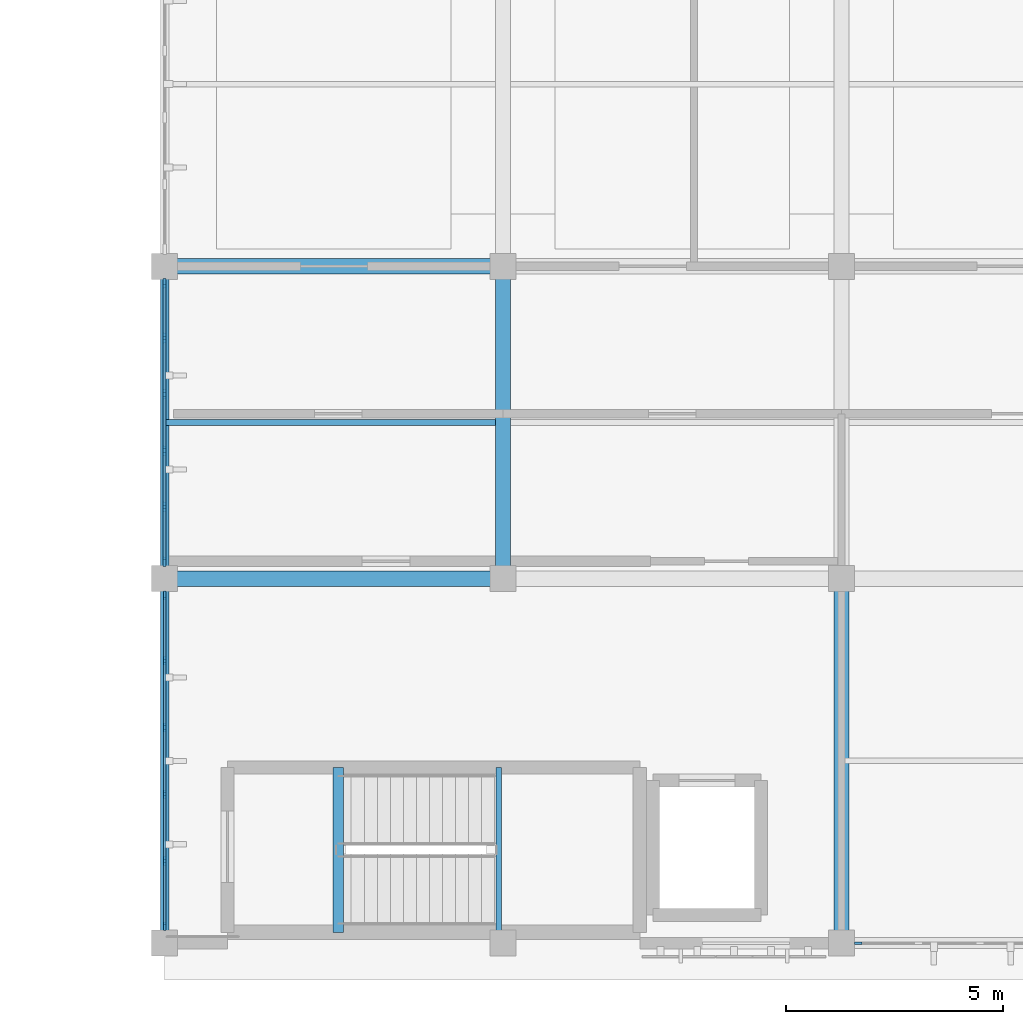
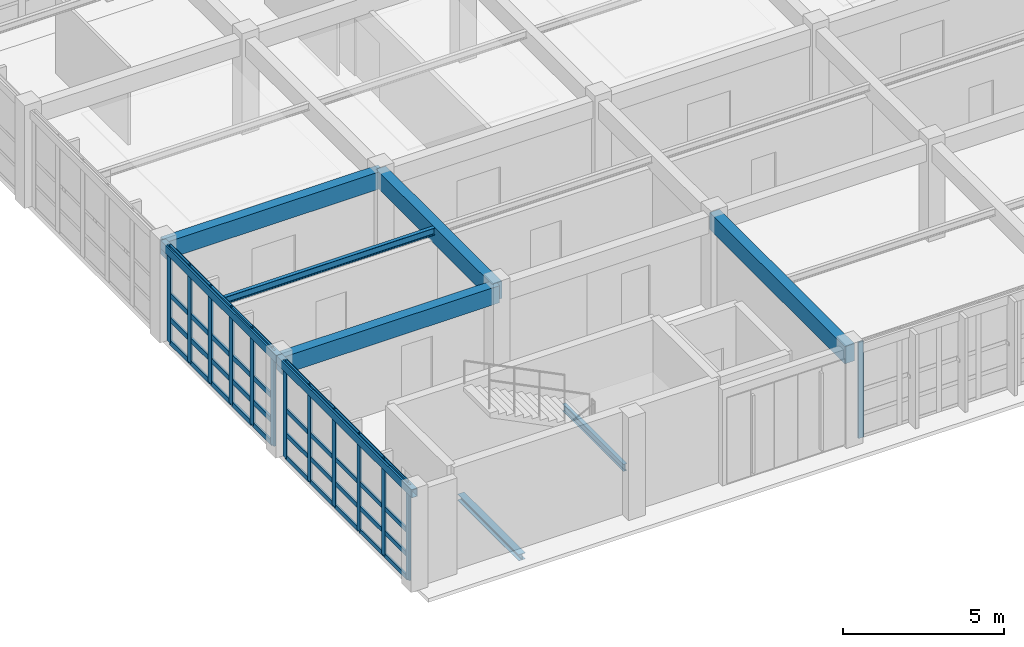
# One storey, part 6 of 67: 53 members, 9 beams, 3 elements without a shape of their own.
"""IFC4 building model written with IfcOpenShell, lengths in metres."""

from ifc_helpers import new_model, si_unit, direction, frame, origin, origin_2d, place, context, subcontext, project, spatial, rectangle, hollow_rectangle, i_section, extrude, material, material_profile, profile_set, type_object, element, aggregate, save


model = new_model("IFC4")

# Units and contexts
model_context = context("Model", 3, precision=1e-05, world=origin(), true_north=direction((0.0, 1.0)))
body_context = subcontext(model_context, "Body", "Model", "MODEL_VIEW")
ifc_project = project(units=[si_unit("LENGTHUNIT", "METRE"), si_unit("AREAUNIT", "SQUARE_METRE"), si_unit("VOLUMEUNIT", "CUBIC_METRE"), si_unit("PLANEANGLEUNIT", "RADIAN"), si_unit("MASSUNIT", "GRAM", prefix="KILO")], contexts=[model_context])

# Site, building, storey
site_placement = place(None, origin())
site = spatial("IfcSite", under=ifc_project, at=site_placement, CompositionType="ELEMENT")
building_placement = place(site_placement, origin())
building = spatial("IfcBuilding", under=site, at=building_placement, Name="Tizgana Railside Sports Hall", CompositionType="ELEMENT")
storey_placement = place(building_placement, frame((0.0, 0.0, 12.0)))
storey = spatial("IfcBuildingStorey", under=building, at=storey_placement, Name="L02", CompositionType="ELEMENT", Elevation=12.0)

# Beams
ifc_material_1 = material(Name="Concrete C35/45", Category="concrete")
ifc_material_profile_1 = material_profile(ifc_material_1, rectangle(XDim=0.35009765625, YDim=0.64990234375, at=origin_2d()), Name="RCB 350x650")
ifc_profile_set_1 = profile_set([ifc_material_profile_1], Name="Concrete C35/45")
beam_type_1 = type_object("IfcBeamType", Name="Concrete Beam RCB 350x650", PredefinedType="BEAM", material=ifc_profile_set_1)
beam_1_placement = place(storey_placement, frame((15.60009765625, 8.39990234375, 3.31103515625), z_axis=(0.0, 1.0, 0.0), x_axis=(-1.0, 0.0, 0.0)))
element("IfcBeam", 1, at=beam_1_placement, inside=storey, type_object=beam_type_1, Name="L02 BEM-0601", PredefinedType="BEAM", context=body_context, shape_type="SweptSolid", body=[
    extrude(rectangle(XDim=0.35009765625, YDim=0.64990234375, at=origin_2d()), origin(), (0.0, 0.0, 1.0), 7.2001953125),
])
beam_2_placement = place(storey_placement, frame((23.39990234375, 0.0, 3.31103515625), z_axis=(0.0, 1.0, 0.0), x_axis=(-1.0, 0.0, 0.0)))
element("IfcBeam", 2, at=beam_2_placement, inside=storey, type_object=beam_type_1, Name="L02 BEM-0604", PredefinedType="BEAM", context=body_context, shape_type="SweptSolid", body=[
    extrude(rectangle(XDim=0.35009765625, YDim=0.64990234375, at=origin_2d()), origin(), (0.0, 0.0, 1.0), 8.39990234375),
])
for number, where, z_axis, x_axis, name in (
    (3, (7.800048828125, 8.39990234375, 3.31103515625), (1.0, 0.0, 0.0), (0.0, 1.0, 0.0), "L02 BEM-0634"),
    (4, (7.800048828125, 15.60009765625, 3.31103515625), (1.0, 0.0, 0.0), (0.0, 1.0, 0.0), "L02 BEM-0635"),
):
    element("IfcBeam", number, at=place(storey_placement, frame(where, z_axis=z_axis, x_axis=x_axis)), inside=storey, type_object=beam_type_1, Name=name, PredefinedType="BEAM", context=body_context, shape_type="SweptSolid", body=[
        extrude(rectangle(XDim=0.35009765625, YDim=0.64990234375, at=origin_2d()), origin(), (0.0, 0.0, 1.0), 7.800048828125),
    ])

# Curtain wall, member
ifc_material_2 = material(Name="Anodised aluminium and glass", Category="aluminium")
curtain_wall_type_1 = type_object("IfcCurtainWallType", Name="Unitised Curtain Wall Concourse 1500", PredefinedType="NOTDEFINED", material=ifc_material_2)
curtain_wall_1_placement = place(storey_placement, origin())
curtain_wall_1 = element("IfcCurtainWall", 5, at=curtain_wall_1_placement, inside=storey, type_object=curtain_wall_type_1, Name="L02 Curtain Wall CW-0104", PredefinedType="NOTDEFINED")
ifc_material_3 = material(Name="Anodised aluminium", Category="aluminium")
ifc_material_profile_2 = material_profile(ifc_material_3, rectangle(XDim=0.06005859375, YDim=0.179931640625, at=origin_2d()), Name="Mullion 60x180")
ifc_profile_set_2 = profile_set([ifc_material_profile_2], Name="Anodised aluminium")
member_type_1 = type_object("IfcMemberType", Name="Mullion 60x180", PredefinedType="MULLION", material=ifc_profile_set_2)
member_1_placement = place(storey_placement, frame((23.784912109375, 0.0, 0.0), z_axis=(0.0, 0.0, 1.0), x_axis=(0.0, -1.0, 0.0)))
member_1 = element("IfcMember", 6, at=member_1_placement, type_object=member_type_1, Name="CW-01 mullion 6", PredefinedType="MULLION", context=body_context, shape_type="SweptSolid", body=[
    extrude(rectangle(XDim=0.06005859375, YDim=0.179931640625, at=origin_2d()), origin(), (0.0, 0.0, 1.0), 3.639892578125),
])
aggregate(curtain_wall_1, [member_1])

# Curtain wall, members
curtain_wall_type_2 = type_object("IfcCurtainWallType", Name="Unitised Curtain Wall EastHall 1500", PredefinedType="NOTDEFINED", material=ifc_material_2)
curtain_wall_2_placement = place(storey_placement, origin())
curtain_wall_2 = element("IfcCurtainWall", 7, at=curtain_wall_2_placement, inside=storey, type_object=curtain_wall_type_2, Name="L02 Curtain Wall CW-0111", PredefinedType="NOTDEFINED")
ifc_material_profile_3 = material_profile(ifc_material_3, rectangle(XDim=0.06494140625, YDim=0.199951171875, at=origin_2d()), Name="Mullion 65x200")
ifc_profile_set_3 = profile_set([ifc_material_profile_3], Name="Anodised aluminium")
member_type_2 = type_object("IfcMemberType", Name="Mullion 65x200", PredefinedType="MULLION", material=ifc_profile_set_3)
member_2_placement = place(storey_placement, frame((7.800048828125, 8.012451171875, 0.0), z_axis=(0.0, 0.0, 1.0), x_axis=(1.0, 0.0, 0.0)))
member_2 = element("IfcMember", 8, at=member_2_placement, type_object=member_type_2, Name="CW-08 mullion 1", PredefinedType="MULLION", context=body_context, shape_type="SweptSolid", body=[
    extrude(rectangle(XDim=0.06494140625, YDim=0.199951171875, at=origin_2d()), origin(), (0.0, 0.0, 1.0), 3.639892578125),
])
member_3_placement = place(storey_placement, frame((7.800048828125, 6.507080078125, 0.0), z_axis=(0.0, 0.0, 1.0), x_axis=(1.0, 0.0, 0.0)))
member_3 = element("IfcMember", 9, at=member_3_placement, type_object=member_type_2, Name="CW-08 mullion 2", PredefinedType="MULLION", context=body_context, shape_type="SweptSolid", body=[
    extrude(rectangle(XDim=0.06494140625, YDim=0.199951171875, at=origin_2d()), origin(), (0.0, 0.0, 1.0), 3.639892578125),
])
member_4_placement = place(storey_placement, frame((7.800048828125, 4.968994140625, 0.0), z_axis=(0.0, 0.0, 1.0), x_axis=(1.0, 0.0, 0.0)))
member_4 = element("IfcMember", 10, at=member_4_placement, type_object=member_type_2, Name="CW-08 mullion 3", PredefinedType="MULLION", context=body_context, shape_type="SweptSolid", body=[
    extrude(rectangle(XDim=0.06494140625, YDim=0.199951171875, at=origin_2d()), origin(), (0.0, 0.0, 1.0), 3.639892578125),
])
member_5_placement = place(storey_placement, frame((7.800048828125, 3.430908203125, 0.0), z_axis=(0.0, 0.0, 1.0), x_axis=(1.0, 0.0, 0.0)))
member_5 = element("IfcMember", 11, at=member_5_placement, type_object=member_type_2, Name="CW-08 mullion 4", PredefinedType="MULLION", context=body_context, shape_type="SweptSolid", body=[
    extrude(rectangle(XDim=0.06494140625, YDim=0.199951171875, at=origin_2d()), origin(), (0.0, 0.0, 1.0), 3.639892578125),
])
member_6_placement = place(storey_placement, frame((7.800048828125, 1.89306640625, 0.0), z_axis=(0.0, 0.0, 1.0), x_axis=(1.0, 0.0, 0.0)))
member_6 = element("IfcMember", 12, at=member_6_placement, type_object=member_type_2, Name="CW-08 mullion 5", PredefinedType="MULLION", context=body_context, shape_type="SweptSolid", body=[
    extrude(rectangle(XDim=0.06494140625, YDim=0.199951171875, at=origin_2d()), origin(), (0.0, 0.0, 1.0), 3.639892578125),
])
member_7_placement = place(storey_placement, frame((7.800048828125, 0.387451171875, 0.0), z_axis=(0.0, 0.0, 1.0), x_axis=(1.0, 0.0, 0.0)))
member_7 = element("IfcMember", 13, at=member_7_placement, type_object=member_type_2, Name="CW-08 mullion 6", PredefinedType="MULLION", context=body_context, shape_type="SweptSolid", body=[
    extrude(rectangle(XDim=0.06494140625, YDim=0.199951171875, at=origin_2d()), origin(), (0.0, 0.0, 1.0), 3.639892578125),
])

curtain_wall_3_placement = place(storey_placement, origin())
curtain_wall_3 = element("IfcCurtainWall", 14, at=curtain_wall_3_placement, inside=storey, type_object=curtain_wall_type_1, Name="L02 Curtain Wall CW-0112", PredefinedType="NOTDEFINED")
ifc_material_profile_4 = material_profile(ifc_material_3, rectangle(XDim=0.070068359375, YDim=0.219970703125, at=origin_2d()), Name="Mullion 70x220")
ifc_profile_set_4 = profile_set([ifc_material_profile_4], Name="Anodised aluminium")
member_type_3 = type_object("IfcMemberType", Name="Mullion 70x220", PredefinedType="MULLION", material=ifc_profile_set_4)
member_8_placement = place(storey_placement, frame((7.800048828125, 15.2099609375, 0.0), z_axis=(0.0, 0.0, 1.0), x_axis=(1.0, 0.0, 0.0)))
member_8 = element("IfcMember", 15, at=member_8_placement, type_object=member_type_3, Name="CW-01 mullion 1", PredefinedType="MULLION", context=body_context, shape_type="SweptSolid", body=[
    extrude(rectangle(XDim=0.070068359375, YDim=0.219970703125, at=origin_2d()), origin(), (0.0, 0.0, 1.0), 3.639892578125),
])
member_9_placement = place(storey_placement, frame((7.800048828125, 13.947021484375, 0.0), z_axis=(0.0, 0.0, 1.0), x_axis=(1.0, 0.0, 0.0)))
member_9 = element("IfcMember", 16, at=member_9_placement, type_object=member_type_3, Name="CW-01 mullion 2", PredefinedType="MULLION", context=body_context, shape_type="SweptSolid", body=[
    extrude(rectangle(XDim=0.070068359375, YDim=0.219970703125, at=origin_2d()), origin(), (0.0, 0.0, 1.0), 3.639892578125),
])
member_10_placement = place(storey_placement, frame((7.800048828125, 12.64892578125, 0.0), z_axis=(0.0, 0.0, 1.0), x_axis=(1.0, 0.0, 0.0)))
member_10 = element("IfcMember", 17, at=member_10_placement, type_object=member_type_3, Name="CW-01 mullion 3", PredefinedType="MULLION", context=body_context, shape_type="SweptSolid", body=[
    extrude(rectangle(XDim=0.070068359375, YDim=0.219970703125, at=origin_2d()), origin(), (0.0, 0.0, 1.0), 3.639892578125),
])
member_11_placement = place(storey_placement, frame((7.800048828125, 11.35107421875, 0.0), z_axis=(0.0, 0.0, 1.0), x_axis=(1.0, 0.0, 0.0)))
member_11 = element("IfcMember", 18, at=member_11_placement, type_object=member_type_3, Name="CW-01 mullion 4", PredefinedType="MULLION", context=body_context, shape_type="SweptSolid", body=[
    extrude(rectangle(XDim=0.070068359375, YDim=0.219970703125, at=origin_2d()), origin(), (0.0, 0.0, 1.0), 3.639892578125),
])
member_12_placement = place(storey_placement, frame((7.800048828125, 10.052978515625, 0.0), z_axis=(0.0, 0.0, 1.0), x_axis=(1.0, 0.0, 0.0)))
member_12 = element("IfcMember", 19, at=member_12_placement, type_object=member_type_3, Name="CW-01 mullion 5", PredefinedType="MULLION", context=body_context, shape_type="SweptSolid", body=[
    extrude(rectangle(XDim=0.070068359375, YDim=0.219970703125, at=origin_2d()), origin(), (0.0, 0.0, 1.0), 3.639892578125),
])
member_13_placement = place(storey_placement, frame((7.800048828125, 8.7900390625, 0.0), z_axis=(0.0, 0.0, 1.0), x_axis=(1.0, 0.0, 0.0)))
member_13 = element("IfcMember", 20, at=member_13_placement, type_object=member_type_3, Name="CW-01 mullion 6", PredefinedType="MULLION", context=body_context, shape_type="SweptSolid", body=[
    extrude(rectangle(XDim=0.070068359375, YDim=0.219970703125, at=origin_2d()), origin(), (0.0, 0.0, 1.0), 3.639892578125),
])

# Beams
ifc_material_4 = material(Name="Steel S355J2", Category="steel")
ifc_material_profile_5 = material_profile(ifc_material_4, i_section(OverallWidth=0.1298828125, OverallDepth=0.27001953125, WebThickness=0.006591796875, FlangeThickness=0.01025390625, FilletRadius=0.014892578125, at=origin_2d()), Name="IPE 270")
ifc_profile_set_5 = profile_set([ifc_material_profile_5], Name="Steel S355J2")
beam_type_2 = type_object("IfcBeamType", Name="Stair Mid-Landing Header IPE 270", PredefinedType="JOIST", material=ifc_profile_set_5)
beam_3_placement = place(storey_placement, frame((15.5, 0.25, 1.613037109375), z_axis=(0.0, 1.0, 0.0), x_axis=(-1.0, 0.0, 0.0)))
element("IfcBeam", 21, at=beam_3_placement, inside=storey, type_object=beam_type_2, Name="L02 C1 Mid Header 1", PredefinedType="JOIST", context=body_context, shape_type="SweptSolid", body=[
    extrude(i_section(OverallWidth=0.1298828125, OverallDepth=0.27001953125, WebThickness=0.006591796875, FlangeThickness=0.01025390625, FilletRadius=0.014892578125, at=origin_2d()), origin(), (0.0, 0.0, 1.0), 3.800048828125),
])
ifc_material_profile_6 = material_profile(ifc_material_4, i_section(OverallWidth=0.239990234375, OverallDepth=0.239990234375, WebThickness=0.010009765625, FlangeThickness=0.01708984375, FilletRadius=0.02099609375, at=origin_2d()), Name="HEB 240")
ifc_profile_set_6 = profile_set([ifc_material_profile_6], Name="Steel S355J2")
beam_type_3 = type_object("IfcBeamType", Name="Steel Beam HEB 240", PredefinedType="BEAM", material=ifc_profile_set_6)
beam_4_placement = place(storey_placement, frame((11.800048828125, 0.25, -0.48193359375), z_axis=(0.0, 1.0, 0.0), x_axis=(-1.0, 0.0, 0.0)))
element("IfcBeam", 22, at=beam_4_placement, inside=storey, type_object=beam_type_3, Name="L02 C1 Landing Header", PredefinedType="BEAM", context=body_context, shape_type="SweptSolid", body=[
    extrude(i_section(OverallWidth=0.239990234375, OverallDepth=0.239990234375, WebThickness=0.010009765625, FlangeThickness=0.01708984375, FilletRadius=0.02099609375, at=origin_2d()), origin(), (0.0, 0.0, 1.0), 3.800048828125),
])
ifc_material_profile_7 = material_profile(ifc_material_4, i_section(OverallWidth=0.1298828125, OverallDepth=0.27001953125, WebThickness=0.006591796875, FlangeThickness=0.01025390625, FilletRadius=0.014892578125, at=origin_2d()), Name="IPE 270")
ifc_profile_set_7 = profile_set([ifc_material_profile_7], Name="Steel S355J2")
beam_type_4 = type_object("IfcBeamType", Name="Steel Joist IPE 270", PredefinedType="JOIST", material=ifc_profile_set_7)
beam_5_placement = place(storey_placement, frame((7.800048828125, 12.0, 3.5009765625), z_axis=(1.0, 0.0, 0.0), x_axis=(0.0, 1.0, 0.0)))
element("IfcBeam", 23, at=beam_5_placement, inside=storey, type_object=beam_type_4, Name="L02 BEM-0638", PredefinedType="JOIST", context=body_context, shape_type="SweptSolid", body=[
    extrude(i_section(OverallWidth=0.1298828125, OverallDepth=0.27001953125, WebThickness=0.006591796875, FlangeThickness=0.01025390625, FilletRadius=0.014892578125, at=origin_2d()), origin(), (0.0, 0.0, 1.0), 7.6298828125),
])
ifc_material_profile_8 = material_profile(ifc_material_4, hollow_rectangle(XDim=0.199951171875, YDim=0.300048828125, WallThickness=0.010009765625, at=origin_2d()), Name="RHS 300x200x10")
ifc_profile_set_8 = profile_set([ifc_material_profile_8], Name="Steel S355J2")
beam_type_5 = type_object("IfcBeamType", Name="Steel Spandrel RHS 300x200x10", PredefinedType="SPANDREL", material=ifc_profile_set_8)
beam_6_placement = place(storey_placement, frame((7.800048828125, 0.0, 3.486083984375), z_axis=(0.0, 1.0, 0.0), x_axis=(-1.0, 0.0, 0.0)))
element("IfcBeam", 24, at=beam_6_placement, inside=storey, type_object=beam_type_5, Name="L02 BEM-0597", PredefinedType="SPANDREL", context=body_context, shape_type="SweptSolid", body=[
    extrude(hollow_rectangle(XDim=0.199951171875, YDim=0.300048828125, WallThickness=0.010009765625, at=origin_2d()), origin(), (0.0, 0.0, 1.0), 8.39990234375),
])
beam_7_placement = place(storey_placement, frame((7.800048828125, 8.39990234375, 3.486083984375), z_axis=(0.0, 1.0, 0.0), x_axis=(-1.0, 0.0, 0.0)))
element("IfcBeam", 25, at=beam_7_placement, inside=storey, type_object=beam_type_5, Name="L02 BEM-0598", PredefinedType="SPANDREL", context=body_context, shape_type="SweptSolid", body=[
    extrude(hollow_rectangle(XDim=0.199951171875, YDim=0.300048828125, WallThickness=0.010009765625, at=origin_2d()), origin(), (0.0, 0.0, 1.0), 7.2001953125),
])

# Member
ifc_material_profile_9 = material_profile(ifc_material_3, rectangle(XDim=0.06494140625, YDim=0.169921875, at=origin_2d()), Name="Transom 65x170")
ifc_profile_set_9 = profile_set([ifc_material_profile_9], Name="Anodised aluminium")
member_type_4 = type_object("IfcMemberType", Name="Transom 65x170", PredefinedType="USERDEFINED", material=ifc_profile_set_9)
member_14_placement = place(storey_placement, frame((7.800048828125, 7.97998046875, 0.032470703125), z_axis=(0.0, -1.0, 0.0), x_axis=(1.0, 0.0, 0.0)))
member_14 = element("IfcMember", 26, at=member_14_placement, type_object=member_type_4, Name="CW-08 transom 1.1", ObjectType="TRANSOM", PredefinedType="USERDEFINED", context=body_context, shape_type="SweptSolid", body=[
    extrude(rectangle(XDim=0.06494140625, YDim=0.169921875, at=origin_2d()), origin(), (0.0, 0.0, 1.0), 1.4404296875),
])

member_15_placement = place(storey_placement, frame((7.800048828125, 7.97998046875, 0.89990234375), z_axis=(0.0, -1.0, 0.0), x_axis=(1.0, 0.0, 0.0)))
member_15 = element("IfcMember", 27, at=member_15_placement, type_object=member_type_4, Name="CW-08 transom 1.2", ObjectType="TRANSOM", PredefinedType="USERDEFINED", context=body_context, shape_type="SweptSolid", body=[
    extrude(rectangle(XDim=0.06494140625, YDim=0.169921875, at=origin_2d()), origin(), (0.0, 0.0, 1.0), 1.4404296875),
])

member_16_placement = place(storey_placement, frame((7.800048828125, 7.97998046875, 1.820068359375), z_axis=(0.0, -1.0, 0.0), x_axis=(1.0, 0.0, 0.0)))
member_16 = element("IfcMember", 28, at=member_16_placement, type_object=member_type_4, Name="CW-08 transom 1.3", ObjectType="TRANSOM", PredefinedType="USERDEFINED", context=body_context, shape_type="SweptSolid", body=[
    extrude(rectangle(XDim=0.06494140625, YDim=0.169921875, at=origin_2d()), origin(), (0.0, 0.0, 1.0), 1.4404296875),
])

member_17_placement = place(storey_placement, frame((7.800048828125, 7.97998046875, 3.607421875), z_axis=(0.0, -1.0, 0.0), x_axis=(1.0, 0.0, 0.0)))
member_17 = element("IfcMember", 29, at=member_17_placement, type_object=member_type_4, Name="CW-08 transom 1.4", ObjectType="TRANSOM", PredefinedType="USERDEFINED", context=body_context, shape_type="SweptSolid", body=[
    extrude(rectangle(XDim=0.06494140625, YDim=0.169921875, at=origin_2d()), origin(), (0.0, 0.0, 1.0), 1.4404296875),
])

member_18_placement = place(storey_placement, frame((7.800048828125, 6.474609375, 0.032470703125), z_axis=(0.0, -1.0, 0.0), x_axis=(1.0, 0.0, 0.0)))
member_18 = element("IfcMember", 30, at=member_18_placement, type_object=member_type_4, Name="CW-08 transom 2.1", ObjectType="TRANSOM", PredefinedType="USERDEFINED", context=body_context, shape_type="SweptSolid", body=[
    extrude(rectangle(XDim=0.06494140625, YDim=0.169921875, at=origin_2d()), origin(), (0.0, 0.0, 1.0), 1.47314453125),
])

member_19_placement = place(storey_placement, frame((7.800048828125, 6.474609375, 0.89990234375), z_axis=(0.0, -1.0, 0.0), x_axis=(1.0, 0.0, 0.0)))
member_19 = element("IfcMember", 31, at=member_19_placement, type_object=member_type_4, Name="CW-08 transom 2.2", ObjectType="TRANSOM", PredefinedType="USERDEFINED", context=body_context, shape_type="SweptSolid", body=[
    extrude(rectangle(XDim=0.06494140625, YDim=0.169921875, at=origin_2d()), origin(), (0.0, 0.0, 1.0), 1.47314453125),
])

member_20_placement = place(storey_placement, frame((7.800048828125, 6.474609375, 1.820068359375), z_axis=(0.0, -1.0, 0.0), x_axis=(1.0, 0.0, 0.0)))
member_20 = element("IfcMember", 32, at=member_20_placement, type_object=member_type_4, Name="CW-08 transom 2.3", ObjectType="TRANSOM", PredefinedType="USERDEFINED", context=body_context, shape_type="SweptSolid", body=[
    extrude(rectangle(XDim=0.06494140625, YDim=0.169921875, at=origin_2d()), origin(), (0.0, 0.0, 1.0), 1.47314453125),
])

member_21_placement = place(storey_placement, frame((7.800048828125, 6.474609375, 3.607421875), z_axis=(0.0, -1.0, 0.0), x_axis=(1.0, 0.0, 0.0)))
member_21 = element("IfcMember", 33, at=member_21_placement, type_object=member_type_4, Name="CW-08 transom 2.4", ObjectType="TRANSOM", PredefinedType="USERDEFINED", context=body_context, shape_type="SweptSolid", body=[
    extrude(rectangle(XDim=0.06494140625, YDim=0.169921875, at=origin_2d()), origin(), (0.0, 0.0, 1.0), 1.47314453125),
])

member_22_placement = place(storey_placement, frame((7.800048828125, 4.9365234375, 0.032470703125), z_axis=(0.0, -1.0, 0.0), x_axis=(1.0, 0.0, 0.0)))
member_22 = element("IfcMember", 34, at=member_22_placement, type_object=member_type_4, Name="CW-08 transom 3.1", ObjectType="TRANSOM", PredefinedType="USERDEFINED", context=body_context, shape_type="SweptSolid", body=[
    extrude(rectangle(XDim=0.06494140625, YDim=0.169921875, at=origin_2d()), origin(), (0.0, 0.0, 1.0), 1.47314453125),
])

member_23_placement = place(storey_placement, frame((7.800048828125, 4.9365234375, 0.89990234375), z_axis=(0.0, -1.0, 0.0), x_axis=(1.0, 0.0, 0.0)))
member_23 = element("IfcMember", 35, at=member_23_placement, type_object=member_type_4, Name="CW-08 transom 3.2", ObjectType="TRANSOM", PredefinedType="USERDEFINED", context=body_context, shape_type="SweptSolid", body=[
    extrude(rectangle(XDim=0.06494140625, YDim=0.169921875, at=origin_2d()), origin(), (0.0, 0.0, 1.0), 1.47314453125),
])

member_24_placement = place(storey_placement, frame((7.800048828125, 4.9365234375, 1.820068359375), z_axis=(0.0, -1.0, 0.0), x_axis=(1.0, 0.0, 0.0)))
member_24 = element("IfcMember", 36, at=member_24_placement, type_object=member_type_4, Name="CW-08 transom 3.3", ObjectType="TRANSOM", PredefinedType="USERDEFINED", context=body_context, shape_type="SweptSolid", body=[
    extrude(rectangle(XDim=0.06494140625, YDim=0.169921875, at=origin_2d()), origin(), (0.0, 0.0, 1.0), 1.47314453125),
])

member_25_placement = place(storey_placement, frame((7.800048828125, 4.9365234375, 3.607421875), z_axis=(0.0, -1.0, 0.0), x_axis=(1.0, 0.0, 0.0)))
member_25 = element("IfcMember", 37, at=member_25_placement, type_object=member_type_4, Name="CW-08 transom 3.4", ObjectType="TRANSOM", PredefinedType="USERDEFINED", context=body_context, shape_type="SweptSolid", body=[
    extrude(rectangle(XDim=0.06494140625, YDim=0.169921875, at=origin_2d()), origin(), (0.0, 0.0, 1.0), 1.47314453125),
])

member_26_placement = place(storey_placement, frame((7.800048828125, 3.3984375, 0.032470703125), z_axis=(0.0, -1.0, 0.0), x_axis=(1.0, 0.0, 0.0)))
member_26 = element("IfcMember", 38, at=member_26_placement, type_object=member_type_4, Name="CW-08 transom 4.1", ObjectType="TRANSOM", PredefinedType="USERDEFINED", context=body_context, shape_type="SweptSolid", body=[
    extrude(rectangle(XDim=0.06494140625, YDim=0.169921875, at=origin_2d()), origin(), (0.0, 0.0, 1.0), 1.472900390625),
])

member_27_placement = place(storey_placement, frame((7.800048828125, 3.3984375, 0.89990234375), z_axis=(0.0, -1.0, 0.0), x_axis=(1.0, 0.0, 0.0)))
member_27 = element("IfcMember", 39, at=member_27_placement, type_object=member_type_4, Name="CW-08 transom 4.2", ObjectType="TRANSOM", PredefinedType="USERDEFINED", context=body_context, shape_type="SweptSolid", body=[
    extrude(rectangle(XDim=0.06494140625, YDim=0.169921875, at=origin_2d()), origin(), (0.0, 0.0, 1.0), 1.472900390625),
])

member_28_placement = place(storey_placement, frame((7.800048828125, 3.3984375, 1.820068359375), z_axis=(0.0, -1.0, 0.0), x_axis=(1.0, 0.0, 0.0)))
member_28 = element("IfcMember", 40, at=member_28_placement, type_object=member_type_4, Name="CW-08 transom 4.3", ObjectType="TRANSOM", PredefinedType="USERDEFINED", context=body_context, shape_type="SweptSolid", body=[
    extrude(rectangle(XDim=0.06494140625, YDim=0.169921875, at=origin_2d()), origin(), (0.0, 0.0, 1.0), 1.472900390625),
])

member_29_placement = place(storey_placement, frame((7.800048828125, 3.3984375, 3.607421875), z_axis=(0.0, -1.0, 0.0), x_axis=(1.0, 0.0, 0.0)))
member_29 = element("IfcMember", 41, at=member_29_placement, type_object=member_type_4, Name="CW-08 transom 4.4", ObjectType="TRANSOM", PredefinedType="USERDEFINED", context=body_context, shape_type="SweptSolid", body=[
    extrude(rectangle(XDim=0.06494140625, YDim=0.169921875, at=origin_2d()), origin(), (0.0, 0.0, 1.0), 1.472900390625),
])

member_30_placement = place(storey_placement, frame((7.800048828125, 1.860595703125, 0.032470703125), z_axis=(0.0, -1.0, 0.0), x_axis=(1.0, 0.0, 0.0)))
member_30 = element("IfcMember", 42, at=member_30_placement, type_object=member_type_4, Name="CW-08 transom 5.1", ObjectType="TRANSOM", PredefinedType="USERDEFINED", context=body_context, shape_type="SweptSolid", body=[
    extrude(rectangle(XDim=0.06494140625, YDim=0.169921875, at=origin_2d()), origin(), (0.0, 0.0, 1.0), 1.440673828125),
])

member_31_placement = place(storey_placement, frame((7.800048828125, 1.860595703125, 0.89990234375), z_axis=(0.0, -1.0, 0.0), x_axis=(1.0, 0.0, 0.0)))
member_31 = element("IfcMember", 43, at=member_31_placement, type_object=member_type_4, Name="CW-08 transom 5.2", ObjectType="TRANSOM", PredefinedType="USERDEFINED", context=body_context, shape_type="SweptSolid", body=[
    extrude(rectangle(XDim=0.06494140625, YDim=0.169921875, at=origin_2d()), origin(), (0.0, 0.0, 1.0), 1.440673828125),
])

member_32_placement = place(storey_placement, frame((7.800048828125, 1.860595703125, 1.820068359375), z_axis=(0.0, -1.0, 0.0), x_axis=(1.0, 0.0, 0.0)))
member_32 = element("IfcMember", 44, at=member_32_placement, type_object=member_type_4, Name="CW-08 transom 5.3", ObjectType="TRANSOM", PredefinedType="USERDEFINED", context=body_context, shape_type="SweptSolid", body=[
    extrude(rectangle(XDim=0.06494140625, YDim=0.169921875, at=origin_2d()), origin(), (0.0, 0.0, 1.0), 1.440673828125),
])

member_33_placement = place(storey_placement, frame((7.800048828125, 1.860595703125, 3.607421875), z_axis=(0.0, -1.0, 0.0), x_axis=(1.0, 0.0, 0.0)))
member_33 = element("IfcMember", 45, at=member_33_placement, type_object=member_type_4, Name="CW-08 transom 5.4", ObjectType="TRANSOM", PredefinedType="USERDEFINED", context=body_context, shape_type="SweptSolid", body=[
    extrude(rectangle(XDim=0.06494140625, YDim=0.169921875, at=origin_2d()), origin(), (0.0, 0.0, 1.0), 1.440673828125),
])

aggregate(curtain_wall_2, [member_2, member_3, member_4, member_5, member_6, member_7, member_14, member_15, member_16, member_17, member_18, member_19, member_20, member_21, member_22, member_23, member_24, member_25, member_26, member_27, member_28, member_29, member_30, member_31, member_32, member_33])

ifc_material_profile_10 = material_profile(ifc_material_3, rectangle(XDim=0.070068359375, YDim=0.18994140625, at=origin_2d()), Name="Transom 70x190")
ifc_profile_set_10 = profile_set([ifc_material_profile_10], Name="Anodised aluminium")
member_type_5 = type_object("IfcMemberType", Name="Transom 70x190", PredefinedType="USERDEFINED", material=ifc_profile_set_10)
member_34_placement = place(storey_placement, frame((7.800048828125, 15.175048828125, 0.034912109375), z_axis=(0.0, -1.0, 0.0), x_axis=(1.0, 0.0, 0.0)))
member_34 = element("IfcMember", 46, at=member_34_placement, type_object=member_type_5, Name="CW-01 transom 1.1", ObjectType="TRANSOM", PredefinedType="USERDEFINED", context=body_context, shape_type="SweptSolid", body=[
    extrude(rectangle(XDim=0.070068359375, YDim=0.18994140625, at=origin_2d()), origin(), (0.0, 0.0, 1.0), 1.193115234375),
])

member_35_placement = place(storey_placement, frame((7.800048828125, 15.175048828125, 0.89990234375), z_axis=(0.0, -1.0, 0.0), x_axis=(1.0, 0.0, 0.0)))
member_35 = element("IfcMember", 47, at=member_35_placement, type_object=member_type_5, Name="CW-01 transom 1.2", ObjectType="TRANSOM", PredefinedType="USERDEFINED", context=body_context, shape_type="SweptSolid", body=[
    extrude(rectangle(XDim=0.070068359375, YDim=0.18994140625, at=origin_2d()), origin(), (0.0, 0.0, 1.0), 1.193115234375),
])

member_36_placement = place(storey_placement, frame((7.800048828125, 15.175048828125, 1.820068359375), z_axis=(0.0, -1.0, 0.0), x_axis=(1.0, 0.0, 0.0)))
member_36 = element("IfcMember", 48, at=member_36_placement, type_object=member_type_5, Name="CW-01 transom 1.3", ObjectType="TRANSOM", PredefinedType="USERDEFINED", context=body_context, shape_type="SweptSolid", body=[
    extrude(rectangle(XDim=0.070068359375, YDim=0.18994140625, at=origin_2d()), origin(), (0.0, 0.0, 1.0), 1.193115234375),
])

member_37_placement = place(storey_placement, frame((7.800048828125, 15.175048828125, 3.60498046875), z_axis=(0.0, -1.0, 0.0), x_axis=(1.0, 0.0, 0.0)))
member_37 = element("IfcMember", 49, at=member_37_placement, type_object=member_type_5, Name="CW-01 transom 1.4", ObjectType="TRANSOM", PredefinedType="USERDEFINED", context=body_context, shape_type="SweptSolid", body=[
    extrude(rectangle(XDim=0.070068359375, YDim=0.18994140625, at=origin_2d()), origin(), (0.0, 0.0, 1.0), 1.193115234375),
])

member_38_placement = place(storey_placement, frame((7.800048828125, 13.912109375, 0.034912109375), z_axis=(0.0, -1.0, 0.0), x_axis=(1.0, 0.0, 0.0)))
member_38 = element("IfcMember", 50, at=member_38_placement, type_object=member_type_5, Name="CW-01 transom 2.1", ObjectType="TRANSOM", PredefinedType="USERDEFINED", context=body_context, shape_type="SweptSolid", body=[
    extrude(rectangle(XDim=0.070068359375, YDim=0.18994140625, at=origin_2d()), origin(), (0.0, 0.0, 1.0), 1.22802734375),
])

member_39_placement = place(storey_placement, frame((7.800048828125, 13.912109375, 0.89990234375), z_axis=(0.0, -1.0, 0.0), x_axis=(1.0, 0.0, 0.0)))
member_39 = element("IfcMember", 51, at=member_39_placement, type_object=member_type_5, Name="CW-01 transom 2.2", ObjectType="TRANSOM", PredefinedType="USERDEFINED", context=body_context, shape_type="SweptSolid", body=[
    extrude(rectangle(XDim=0.070068359375, YDim=0.18994140625, at=origin_2d()), origin(), (0.0, 0.0, 1.0), 1.22802734375),
])

member_40_placement = place(storey_placement, frame((7.800048828125, 13.912109375, 1.820068359375), z_axis=(0.0, -1.0, 0.0), x_axis=(1.0, 0.0, 0.0)))
member_40 = element("IfcMember", 52, at=member_40_placement, type_object=member_type_5, Name="CW-01 transom 2.3", ObjectType="TRANSOM", PredefinedType="USERDEFINED", context=body_context, shape_type="SweptSolid", body=[
    extrude(rectangle(XDim=0.070068359375, YDim=0.18994140625, at=origin_2d()), origin(), (0.0, 0.0, 1.0), 1.22802734375),
])

member_41_placement = place(storey_placement, frame((7.800048828125, 13.912109375, 3.60498046875), z_axis=(0.0, -1.0, 0.0), x_axis=(1.0, 0.0, 0.0)))
member_41 = element("IfcMember", 53, at=member_41_placement, type_object=member_type_5, Name="CW-01 transom 2.4", ObjectType="TRANSOM", PredefinedType="USERDEFINED", context=body_context, shape_type="SweptSolid", body=[
    extrude(rectangle(XDim=0.070068359375, YDim=0.18994140625, at=origin_2d()), origin(), (0.0, 0.0, 1.0), 1.22802734375),
])

member_42_placement = place(storey_placement, frame((7.800048828125, 12.614013671875, 0.034912109375), z_axis=(0.0, -1.0, 0.0), x_axis=(1.0, 0.0, 0.0)))
member_42 = element("IfcMember", 54, at=member_42_placement, type_object=member_type_5, Name="CW-01 transom 3.1", ObjectType="TRANSOM", PredefinedType="USERDEFINED", context=body_context, shape_type="SweptSolid", body=[
    extrude(rectangle(XDim=0.070068359375, YDim=0.18994140625, at=origin_2d()), origin(), (0.0, 0.0, 1.0), 1.22802734375),
])

member_43_placement = place(storey_placement, frame((7.800048828125, 12.614013671875, 0.89990234375), z_axis=(0.0, -1.0, 0.0), x_axis=(1.0, 0.0, 0.0)))
member_43 = element("IfcMember", 55, at=member_43_placement, type_object=member_type_5, Name="CW-01 transom 3.2", ObjectType="TRANSOM", PredefinedType="USERDEFINED", context=body_context, shape_type="SweptSolid", body=[
    extrude(rectangle(XDim=0.070068359375, YDim=0.18994140625, at=origin_2d()), origin(), (0.0, 0.0, 1.0), 1.22802734375),
])

member_44_placement = place(storey_placement, frame((7.800048828125, 12.614013671875, 1.820068359375), z_axis=(0.0, -1.0, 0.0), x_axis=(1.0, 0.0, 0.0)))
member_44 = element("IfcMember", 56, at=member_44_placement, type_object=member_type_5, Name="CW-01 transom 3.3", ObjectType="TRANSOM", PredefinedType="USERDEFINED", context=body_context, shape_type="SweptSolid", body=[
    extrude(rectangle(XDim=0.070068359375, YDim=0.18994140625, at=origin_2d()), origin(), (0.0, 0.0, 1.0), 1.22802734375),
])

member_45_placement = place(storey_placement, frame((7.800048828125, 12.614013671875, 3.60498046875), z_axis=(0.0, -1.0, 0.0), x_axis=(1.0, 0.0, 0.0)))
member_45 = element("IfcMember", 57, at=member_45_placement, type_object=member_type_5, Name="CW-01 transom 3.4", ObjectType="TRANSOM", PredefinedType="USERDEFINED", context=body_context, shape_type="SweptSolid", body=[
    extrude(rectangle(XDim=0.070068359375, YDim=0.18994140625, at=origin_2d()), origin(), (0.0, 0.0, 1.0), 1.22802734375),
])

member_46_placement = place(storey_placement, frame((7.800048828125, 11.31591796875, 0.034912109375), z_axis=(0.0, -1.0, 0.0), x_axis=(1.0, 0.0, 0.0)))
member_46 = element("IfcMember", 58, at=member_46_placement, type_object=member_type_5, Name="CW-01 transom 4.1", ObjectType="TRANSOM", PredefinedType="USERDEFINED", context=body_context, shape_type="SweptSolid", body=[
    extrude(rectangle(XDim=0.070068359375, YDim=0.18994140625, at=origin_2d()), origin(), (0.0, 0.0, 1.0), 1.22802734375),
])

member_47_placement = place(storey_placement, frame((7.800048828125, 11.31591796875, 0.89990234375), z_axis=(0.0, -1.0, 0.0), x_axis=(1.0, 0.0, 0.0)))
member_47 = element("IfcMember", 59, at=member_47_placement, type_object=member_type_5, Name="CW-01 transom 4.2", ObjectType="TRANSOM", PredefinedType="USERDEFINED", context=body_context, shape_type="SweptSolid", body=[
    extrude(rectangle(XDim=0.070068359375, YDim=0.18994140625, at=origin_2d()), origin(), (0.0, 0.0, 1.0), 1.22802734375),
])

member_48_placement = place(storey_placement, frame((7.800048828125, 11.31591796875, 1.820068359375), z_axis=(0.0, -1.0, 0.0), x_axis=(1.0, 0.0, 0.0)))
member_48 = element("IfcMember", 60, at=member_48_placement, type_object=member_type_5, Name="CW-01 transom 4.3", ObjectType="TRANSOM", PredefinedType="USERDEFINED", context=body_context, shape_type="SweptSolid", body=[
    extrude(rectangle(XDim=0.070068359375, YDim=0.18994140625, at=origin_2d()), origin(), (0.0, 0.0, 1.0), 1.22802734375),
])

member_49_placement = place(storey_placement, frame((7.800048828125, 11.31591796875, 3.60498046875), z_axis=(0.0, -1.0, 0.0), x_axis=(1.0, 0.0, 0.0)))
member_49 = element("IfcMember", 61, at=member_49_placement, type_object=member_type_5, Name="CW-01 transom 4.4", ObjectType="TRANSOM", PredefinedType="USERDEFINED", context=body_context, shape_type="SweptSolid", body=[
    extrude(rectangle(XDim=0.070068359375, YDim=0.18994140625, at=origin_2d()), origin(), (0.0, 0.0, 1.0), 1.22802734375),
])

member_50_placement = place(storey_placement, frame((7.800048828125, 10.01806640625, 0.034912109375), z_axis=(0.0, -1.0, 0.0), x_axis=(1.0, 0.0, 0.0)))
member_50 = element("IfcMember", 62, at=member_50_placement, type_object=member_type_5, Name="CW-01 transom 5.1", ObjectType="TRANSOM", PredefinedType="USERDEFINED", context=body_context, shape_type="SweptSolid", body=[
    extrude(rectangle(XDim=0.070068359375, YDim=0.18994140625, at=origin_2d()), origin(), (0.0, 0.0, 1.0), 1.193115234375),
])

member_51_placement = place(storey_placement, frame((7.800048828125, 10.01806640625, 0.89990234375), z_axis=(0.0, -1.0, 0.0), x_axis=(1.0, 0.0, 0.0)))
member_51 = element("IfcMember", 63, at=member_51_placement, type_object=member_type_5, Name="CW-01 transom 5.2", ObjectType="TRANSOM", PredefinedType="USERDEFINED", context=body_context, shape_type="SweptSolid", body=[
    extrude(rectangle(XDim=0.070068359375, YDim=0.18994140625, at=origin_2d()), origin(), (0.0, 0.0, 1.0), 1.193115234375),
])

member_52_placement = place(storey_placement, frame((7.800048828125, 10.01806640625, 1.820068359375), z_axis=(0.0, -1.0, 0.0), x_axis=(1.0, 0.0, 0.0)))
member_52 = element("IfcMember", 64, at=member_52_placement, type_object=member_type_5, Name="CW-01 transom 5.3", ObjectType="TRANSOM", PredefinedType="USERDEFINED", context=body_context, shape_type="SweptSolid", body=[
    extrude(rectangle(XDim=0.070068359375, YDim=0.18994140625, at=origin_2d()), origin(), (0.0, 0.0, 1.0), 1.193115234375),
])

member_53_placement = place(storey_placement, frame((7.800048828125, 10.01806640625, 3.60498046875), z_axis=(0.0, -1.0, 0.0), x_axis=(1.0, 0.0, 0.0)))
member_53 = element("IfcMember", 65, at=member_53_placement, type_object=member_type_5, Name="CW-01 transom 5.4", ObjectType="TRANSOM", PredefinedType="USERDEFINED", context=body_context, shape_type="SweptSolid", body=[
    extrude(rectangle(XDim=0.070068359375, YDim=0.18994140625, at=origin_2d()), origin(), (0.0, 0.0, 1.0), 1.193115234375),
])

aggregate(curtain_wall_3, [member_8, member_9, member_10, member_11, member_12, member_13, member_34, member_35, member_36, member_37, member_38, member_39, member_40, member_41, member_42, member_43, member_44, member_45, member_46, member_47, member_48, member_49, member_50, member_51, member_52, member_53])

save(model, "model.ifc")
